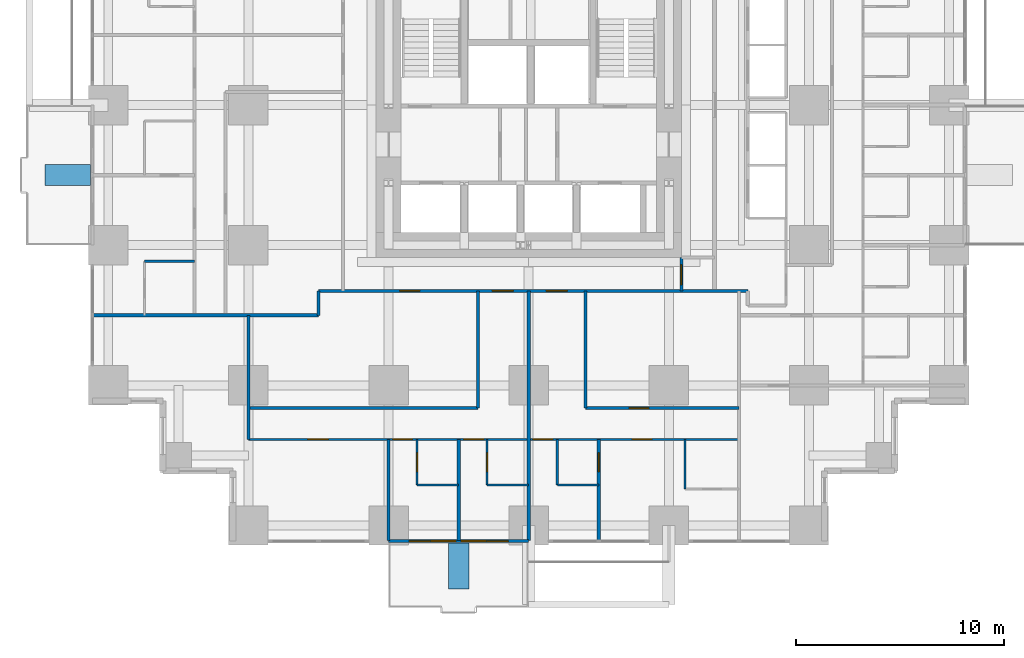
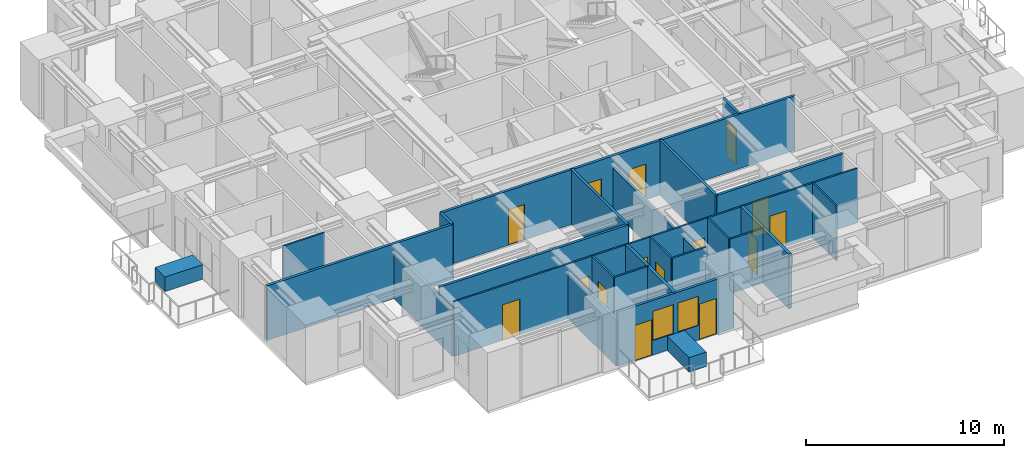
# One storey, part 8 of 15: 25 walls, 15 doors, 2 windows, 17 openings.
"""IFC4 building model written with IfcOpenShell, lengths in metres."""

from ifc_helpers import new_model, si_unit, direction, frame, frame_2d, origin, place, context, subcontext, project, spatial, rectangle, extrude, material, layer, layer_set, type_object, element, fill, save


model = new_model("IFC4")

# Units and contexts
model_context = context("Model", 3, precision=1e-05, world=origin(), true_north=direction((0.0, 1.0)))
body_context = subcontext(model_context, "Body", "Model", "MODEL_VIEW")
ifc_project = project(units=[si_unit("LENGTHUNIT", "METRE"), si_unit("AREAUNIT", "SQUARE_METRE"), si_unit("VOLUMEUNIT", "CUBIC_METRE"), si_unit("PLANEANGLEUNIT", "RADIAN"), si_unit("MASSUNIT", "GRAM", prefix="KILO")], contexts=[model_context])

# Site, building, storey
site_placement = place(None, origin())
site = spatial("IfcSite", under=ifc_project, at=site_placement, CompositionType="ELEMENT")
building_placement = place(site_placement, origin())
building = spatial("IfcBuilding", under=site, at=building_placement, Name="Nyansa Garden Tower", CompositionType="ELEMENT")
storey_placement = place(building_placement, frame((0.0, 0.0, 32.39990234375)))
storey = spatial("IfcBuildingStorey", under=building, at=storey_placement, Name="L08", CompositionType="ELEMENT", Elevation=32.39990234375)

# Wall
ifc_material_1 = material(Name="Dense blockwork, plastered both sides, 55 dB", Category="masonry")
ifc_layer_1 = layer(ifc_material_1, 0.175048828125)
ifc_layer_set_1 = layer_set([ifc_layer_1], Name="Acoustic party wall PW175")
wall_type_1 = type_object("IfcWallType", Name="Acoustic party wall PW175", PredefinedType="PARTITIONING", material=ifc_layer_set_1)
wall_1_placement = place(storey_placement, frame((16.875, -0.73388671875, 0.0), z_axis=(0.0, 0.0, 1.0), x_axis=(0.0, 1.0, 0.0)))
element("IfcWall", 1, at=wall_1_placement, inside=storey, type_object=wall_type_1, Name="Party wall", PredefinedType="PARTITIONING", context=body_context, shape_type="SweptSolid", body=[
    extrude(rectangle(XDim=4.8837890625, YDim=0.175048828125, at=frame_2d((2.44189453125, 0.0))), origin(), (0.0, 0.0, 1.0), 3.375),
])

# Wall, opening, door
wall_2_placement = place(storey_placement, frame((23.625, -0.73388671875, 0.0), z_axis=(0.0, 0.0, 1.0), x_axis=(0.0, 1.0, 0.0)))
wall_2 = element("IfcWall", 2, at=wall_2_placement, inside=storey, type_object=wall_type_1, Name="Party wall", PredefinedType="PARTITIONING", context=body_context, shape_type="SweptSolid", body=[
    extrude(rectangle(XDim=4.8837890625, YDim=0.175048828125, at=frame_2d((2.44189453125, 0.0))), origin(), (0.0, 0.0, 1.0), 3.375),
])
opening_1_placement = place(wall_2_placement, frame((3.333984375, 0.0, 0.0)))
opening_1 = element("IfcOpeningElement", 3, at=opening_1_placement, cuts=wall_2, Name="Opening D02", PredefinedType="OPENING", context=body_context, shape_type="SweptSolid", body=[
    extrude(rectangle(XDim=0.89990234375, YDim=2.199951171875, at=frame_2d((0.449951171875, 1.10009765625))), frame((0.0, 0.097412109375, 0.0), z_axis=(0.0, -1.0, 0.0), x_axis=(1.0, 0.0, 0.0)), (0.0, 0.0, 1.0), 0.195068359375),
])
ifc_material_2 = material(Name="Timber flush door", Category="wood")
door_type_1 = type_object("IfcDoorType", Name="En-suite door D02 900x2200", OperationType="SINGLE_SWING_RIGHT", PredefinedType="DOOR", material=ifc_material_2)
door_1_placement = place(opening_1_placement, origin())
door_1 = element("IfcDoor", 4, at=door_1_placement, inside=storey, type_object=door_type_1, Name="Door L08-027", OperationType="SINGLE_SWING_RIGHT", OverallHeight=2.199951171875, OverallWidth=0.89990234375, PredefinedType="DOOR", context=body_context, shape_type="SweptSolid", body=[
    extrude(rectangle(XDim=0.89990234375, YDim=2.199951171875, at=frame_2d((0.449951171875, 1.10009765625))), frame((0.0, 0.02490234375, 0.0), z_axis=(0.0, -1.0, 0.0), x_axis=(1.0, 0.0, 0.0)), (0.0, 0.0, 1.0), 0.050048828125),
])
fill(opening_1, door_1)

# Wall, openings, doors, windows
ifc_material_3 = material(Name="Black aluminium framed glazed screen", Category="aluminium")
ifc_layer_2 = layer(ifc_material_3, 0.14990234375)
ifc_layer_set_2 = layer_set([ifc_layer_2], Name="Balcony screen wall BW150")
wall_type_2 = type_object("IfcWallType", Name="Balcony screen wall BW150", PredefinedType="SOLIDWALL", material=ifc_layer_set_2)
wall_3_placement = place(storey_placement, frame((20.25, -0.75, 0.0), z_axis=(0.0, 0.0, 1.0), x_axis=(-1.0, 0.0, 0.0)))
wall_3 = element("IfcWall", 5, at=wall_3_placement, inside=storey, type_object=wall_type_2, Name="Glazed screen wall L08 S", PredefinedType="SOLIDWALL", context=body_context, shape_type="SweptSolid", body=[
    extrude(rectangle(XDim=6.75, YDim=0.14990234375, at=frame_2d((3.375, 0.0))), origin(), (0.0, 0.0, 1.0), 3.375),
])
opening_2_placement = place(wall_3_placement, frame((0.995849609375, 0.0, 0.0)))
opening_2 = element("IfcOpeningElement", 6, at=opening_2_placement, cuts=wall_3, Name="Opening D20", PredefinedType="OPENING", context=body_context, shape_type="SweptSolid", body=[
    extrude(rectangle(XDim=1.0, YDim=2.199951171875, at=frame_2d((0.5, 1.10009765625))), frame((0.0, 0.0849609375, 0.0), z_axis=(0.0, -1.0, 0.0), x_axis=(1.0, 0.0, 0.0)), (0.0, 0.0, 1.0), 0.169921875),
])
opening_3_placement = place(wall_3_placement, frame((2.041748046875, 0.0, 0.89990234375)))
opening_3 = element("IfcOpeningElement", 7, at=opening_3_placement, cuts=wall_3, Name="Opening W6", PredefinedType="OPENING", context=body_context, shape_type="SweptSolid", body=[
    extrude(rectangle(XDim=1.199951171875, YDim=1.800048828125, at=frame_2d((0.60009765625, 0.89990234375))), frame((0.0, 0.0849609375, 0.0), z_axis=(0.0, -1.0, 0.0), x_axis=(1.0, 0.0, 0.0)), (0.0, 0.0, 1.0), 0.169921875),
])
opening_4_placement = place(wall_3_placement, frame((4.754150390625, 0.0, 0.0)))
opening_4 = element("IfcOpeningElement", 8, at=opening_4_placement, cuts=wall_3, Name="Opening D20", PredefinedType="OPENING", context=body_context, shape_type="SweptSolid", body=[
    extrude(rectangle(XDim=1.0, YDim=2.199951171875, at=frame_2d((0.5, 1.10009765625))), frame((0.0, 0.0849609375, 0.0), z_axis=(0.0, -1.0, 0.0), x_axis=(1.0, 0.0, 0.0)), (0.0, 0.0, 1.0), 0.169921875),
])
opening_5_placement = place(wall_3_placement, frame((3.50830078125, 0.0, 0.89990234375)))
opening_5 = element("IfcOpeningElement", 9, at=opening_5_placement, cuts=wall_3, Name="Opening W6", PredefinedType="OPENING", context=body_context, shape_type="SweptSolid", body=[
    extrude(rectangle(XDim=1.199951171875, YDim=1.800048828125, at=frame_2d((0.60009765625, 0.89990234375))), frame((0.0, 0.0849609375, 0.0), z_axis=(0.0, -1.0, 0.0), x_axis=(1.0, 0.0, 0.0)), (0.0, 0.0, 1.0), 0.169921875),
])
ifc_material_4 = material(Name="Black aluminium framed glazed door", Category="aluminium")
door_type_2 = type_object("IfcDoorType", Name="Balcony door D20 1000x2200", OperationType="NOTDEFINED", PredefinedType="DOOR", material=ifc_material_4)
door_2_placement = place(opening_2_placement, origin())
door_2 = element("IfcDoor", 10, at=door_2_placement, inside=storey, type_object=door_type_2, Name="Balcony door L08", OperationType="SINGLE_SWING_LEFT", OverallHeight=2.199951171875, OverallWidth=1.0, PredefinedType="DOOR", context=body_context, shape_type="SweptSolid", body=[
    extrude(rectangle(XDim=1.0, YDim=2.199951171875, at=frame_2d((0.5, 1.10009765625))), frame((0.0, 0.02490234375, 0.0), z_axis=(0.0, -1.0, 0.0), x_axis=(1.0, 0.0, 0.0)), (0.0, 0.0, 1.0), 0.050048828125),
])
fill(opening_2, door_2)
door_3_placement = place(opening_4_placement, origin())
door_3 = element("IfcDoor", 11, at=door_3_placement, inside=storey, type_object=door_type_2, Name="Balcony door L08", OperationType="SINGLE_SWING_RIGHT", OverallHeight=2.199951171875, OverallWidth=1.0, PredefinedType="DOOR", context=body_context, shape_type="SweptSolid", body=[
    extrude(rectangle(XDim=1.0, YDim=2.199951171875, at=frame_2d((0.5, 1.10009765625))), frame((0.0, 0.02490234375, 0.0), z_axis=(0.0, -1.0, 0.0), x_axis=(1.0, 0.0, 0.0)), (0.0, 0.0, 1.0), 0.050048828125),
])
fill(opening_4, door_3)
ifc_material_5 = material(Name="Black aluminium frame, dark tinted double glazing", Category="aluminium")
window_type = type_object("IfcWindowType", Name="Balcony window W6 1200x1800", PartitioningType="SINGLE_PANEL", PredefinedType="WINDOW", material=ifc_material_5)
window_1_placement = place(opening_3_placement, origin())
window_1 = element("IfcWindow", 12, at=window_1_placement, inside=storey, type_object=window_type, Name="Window L08", OverallHeight=1.800048828125, OverallWidth=1.199951171875, PartitioningType="SINGLE_PANEL", PredefinedType="WINDOW", context=body_context, shape_type="SweptSolid", body=[
    extrude(rectangle(XDim=1.199951171875, YDim=1.800048828125, at=frame_2d((0.60009765625, 0.89990234375))), frame((0.0, 0.030029296875, 0.0), z_axis=(0.0, -1.0, 0.0), x_axis=(1.0, 0.0, 0.0)), (0.0, 0.0, 1.0), 0.06005859375),
])
fill(opening_3, window_1)
window_2_placement = place(opening_5_placement, origin())
window_2 = element("IfcWindow", 13, at=window_2_placement, inside=storey, type_object=window_type, Name="Window L08", OverallHeight=1.800048828125, OverallWidth=1.199951171875, PartitioningType="SINGLE_PANEL", PredefinedType="WINDOW", context=body_context, shape_type="SweptSolid", body=[
    extrude(rectangle(XDim=1.199951171875, YDim=1.800048828125, at=frame_2d((0.60009765625, 0.89990234375))), frame((0.0, 0.030029296875, 0.0), z_axis=(0.0, -1.0, 0.0), x_axis=(1.0, 0.0, 0.0)), (0.0, 0.0, 1.0), 0.06005859375),
])
fill(opening_5, window_2)

# Walls
ifc_material_6 = material(Name="Blockwork, plastered both sides", Category="masonry")
ifc_layer_3 = layer(ifc_material_6, 0.14990234375)
ifc_layer_set_3 = layer_set([ifc_layer_3], Name="Partition PW150")
wall_type_3 = type_object("IfcWallType", Name="Partition PW150", PredefinedType="PARTITIONING", material=ifc_layer_set_3)
wall_4_placement = place(storey_placement, frame((-0.73388671875, 10.125, 0.0), z_axis=(0.0, 0.0, 1.0), x_axis=(1.0, 0.0, 0.0)))
element("IfcWall", 14, at=wall_4_placement, inside=storey, type_object=wall_type_3, Name="Partition", PredefinedType="PARTITIONING", context=body_context, shape_type="SweptSolid", body=[
    extrude(rectangle(XDim=10.85888671875, YDim=0.14990234375, at=frame_2d((5.429443359375, 0.0))), origin(), (0.0, 0.0, 1.0), 3.375),
])
wall_5_placement = place(storey_placement, frame((6.75, 4.14990234375, 0.0), z_axis=(0.0, 0.0, 1.0), x_axis=(0.0, 1.0, 0.0)))
element("IfcWall", 15, at=wall_5_placement, inside=storey, type_object=wall_type_3, Name="Partition", PredefinedType="PARTITIONING", context=body_context, shape_type="SweptSolid", body=[
    extrude(rectangle(XDim=5.97509765625, YDim=0.14990234375, at=frame_2d((2.987548828125, 0.0))), origin(), (0.0, 0.0, 1.0), 2.877197265625),
])
wall_6_placement = place(storey_placement, frame((6.75, 5.64990234375, 0.0), z_axis=(0.0, 0.0, 1.0), x_axis=(1.0, 0.0, 0.0)))
element("IfcWall", 16, at=wall_6_placement, inside=storey, type_object=wall_type_3, Name="Partition", PredefinedType="PARTITIONING", context=body_context, shape_type="SweptSolid", body=[
    extrude(rectangle(XDim=11.050048828125, YDim=0.14990234375, at=frame_2d((5.52490234375, 0.0))), origin(), (0.0, 0.0, 1.0), 3.375),
])
wall_7_placement = place(storey_placement, frame((10.125, 10.125, 0.0), z_axis=(0.0, 0.0, 1.0), x_axis=(0.0, 1.0, 0.0)))
element("IfcWall", 17, at=wall_7_placement, inside=storey, type_object=wall_type_3, Name="Partition", PredefinedType="PARTITIONING", context=body_context, shape_type="SweptSolid", body=[
    extrude(rectangle(XDim=1.175048828125, YDim=0.14990234375, at=frame_2d((0.58740234375, 0.0))), origin(), (0.0, 0.0, 1.0), 3.375),
])

# Wall, openings, doors
wall_8_placement = place(storey_placement, frame((10.125, 11.300048828125, 0.0), z_axis=(0.0, 0.0, 1.0), x_axis=(1.0, 0.0, 0.0)))
wall_8 = element("IfcWall", 18, at=wall_8_placement, inside=storey, type_object=wall_type_3, Name="Partition", PredefinedType="PARTITIONING", context=body_context, shape_type="SweptSolid", body=[
    extrude(rectangle(XDim=20.675048828125, YDim=0.14990234375, at=frame_2d((10.33740234375, 0.0))), origin(), (0.0, 0.0, 1.0), 3.375),
])
opening_6_placement = place(wall_8_placement, frame((8.375, 0.0, 0.0)))
opening_6 = element("IfcOpeningElement", 19, at=opening_6_placement, cuts=wall_8, Name="Opening D03", PredefinedType="OPENING", context=body_context, shape_type="SweptSolid", body=[
    extrude(rectangle(XDim=1.0, YDim=2.199951171875, at=frame_2d((0.5, 1.10009765625))), frame((0.0, 0.0849609375, 0.0), z_axis=(0.0, -1.0, 0.0), x_axis=(1.0, 0.0, 0.0)), (0.0, 0.0, 1.0), 0.169921875),
])
opening_7_placement = place(wall_8_placement, frame((10.97509765625, 0.0, 0.0)))
opening_7 = element("IfcOpeningElement", 20, at=opening_7_placement, cuts=wall_8, Name="Opening D03", PredefinedType="OPENING", context=body_context, shape_type="SweptSolid", body=[
    extrude(rectangle(XDim=1.0, YDim=2.199951171875, at=frame_2d((0.5, 1.10009765625))), frame((0.0, 0.0849609375, 0.0), z_axis=(0.0, -1.0, 0.0), x_axis=(1.0, 0.0, 0.0)), (0.0, 0.0, 1.0), 0.169921875),
])
opening_8_placement = place(wall_8_placement, frame((3.925048828125, 0.0, 0.0)))
opening_8 = element("IfcOpeningElement", 21, at=opening_8_placement, cuts=wall_8, Name="Opening D01", PredefinedType="OPENING", context=body_context, shape_type="SweptSolid", body=[
    extrude(rectangle(XDim=0.949951171875, YDim=2.199951171875, at=frame_2d((0.47509765625, 1.10009765625))), frame((0.0, 0.0849609375, 0.0), z_axis=(0.0, -1.0, 0.0), x_axis=(1.0, 0.0, 0.0)), (0.0, 0.0, 1.0), 0.169921875),
])
ifc_material_7 = material(Name="Timber flush door, 30 minute fire resisting", Category="wood")
door_type_3 = type_object("IfcDoorType", Name="Bedroom door D01 950x2200", OperationType="SINGLE_SWING_LEFT", PredefinedType="DOOR", material=ifc_material_7)
door_4_placement = place(opening_8_placement, origin())
door_4 = element("IfcDoor", 22, at=door_4_placement, inside=storey, type_object=door_type_3, Name="Door L08-029", OperationType="SINGLE_SWING_LEFT", OverallHeight=2.199951171875, OverallWidth=0.949951171875, PredefinedType="DOOR", context=body_context, shape_type="SweptSolid", body=[
    extrude(rectangle(XDim=0.949951171875, YDim=2.199951171875, at=frame_2d((0.47509765625, 1.10009765625))), frame((0.0, 0.02490234375, 0.0), z_axis=(0.0, -1.0, 0.0), x_axis=(1.0, 0.0, 0.0)), (0.0, 0.0, 1.0), 0.050048828125),
])
fill(opening_8, door_4)
ifc_material_8 = material(Name="Timber flush door, 60 minute fire resisting", Category="wood")
door_type_4 = type_object("IfcDoorType", Name="Cluster entrance door D03 1000x2200", OperationType="SINGLE_SWING_LEFT", PredefinedType="DOOR", material=ifc_material_8)
door_5_placement = place(opening_6_placement, origin())
door_5 = element("IfcDoor", 23, at=door_5_placement, inside=storey, type_object=door_type_4, Name="Door L08-023", OperationType="SINGLE_SWING_LEFT", OverallHeight=2.199951171875, OverallWidth=1.0, PredefinedType="DOOR", context=body_context, shape_type="SweptSolid", body=[
    extrude(rectangle(XDim=1.0, YDim=2.199951171875, at=frame_2d((0.5, 1.10009765625))), frame((0.0, 0.02490234375, 0.0), z_axis=(0.0, -1.0, 0.0), x_axis=(1.0, 0.0, 0.0)), (0.0, 0.0, 1.0), 0.050048828125),
])
fill(opening_6, door_5)
door_6_placement = place(opening_7_placement, origin())
door_6 = element("IfcDoor", 24, at=door_6_placement, inside=storey, type_object=door_type_4, Name="Door L08-028", OperationType="SINGLE_SWING_LEFT", OverallHeight=2.199951171875, OverallWidth=1.0, PredefinedType="DOOR", context=body_context, shape_type="SweptSolid", body=[
    extrude(rectangle(XDim=1.0, YDim=2.199951171875, at=frame_2d((0.5, 1.10009765625))), frame((0.0, 0.02490234375, 0.0), z_axis=(0.0, -1.0, 0.0), x_axis=(1.0, 0.0, 0.0)), (0.0, 0.0, 1.0), 0.050048828125),
])
fill(opening_7, door_6)

# Walls
wall_9_placement = place(storey_placement, frame((13.5, -0.73388671875, 0.0), z_axis=(0.0, 0.0, 1.0), x_axis=(0.0, 1.0, 0.0)))
element("IfcWall", 25, at=wall_9_placement, inside=storey, type_object=wall_type_3, Name="Partition", PredefinedType="PARTITIONING", context=body_context, shape_type="SweptSolid", body=[
    extrude(rectangle(XDim=4.8837890625, YDim=0.14990234375, at=frame_2d((2.44189453125, 0.0))), origin(), (0.0, 0.0, 1.0), 2.877197265625),
])
wall_10_placement = place(storey_placement, frame((17.800048828125, 5.64990234375, 0.0), z_axis=(0.0, 0.0, 1.0), x_axis=(0.0, 1.0, 0.0)))
element("IfcWall", 26, at=wall_10_placement, inside=storey, type_object=wall_type_3, Name="Partition", PredefinedType="PARTITIONING", context=body_context, shape_type="SweptSolid", body=[
    extrude(rectangle(XDim=5.650146484375, YDim=0.14990234375, at=frame_2d((2.8251953125, 0.0))), origin(), (0.0, 0.0, 1.0), 3.375),
])
wall_11_placement = place(storey_placement, frame((20.25, -0.73388671875, 0.0), z_axis=(0.0, 0.0, 1.0), x_axis=(0.0, 1.0, 0.0)))
element("IfcWall", 27, at=wall_11_placement, inside=storey, type_object=wall_type_3, Name="Partition", PredefinedType="PARTITIONING", context=body_context, shape_type="SweptSolid", body=[
    extrude(rectangle(XDim=12.033935546875, YDim=0.14990234375, at=frame_2d((6.01708984375, 0.0))), origin(), (0.0, 0.0, 1.0), 2.610107421875),
])

# Wall, opening, door
wall_12_placement = place(storey_placement, frame((22.987548828125, 5.64990234375, 0.0), z_axis=(0.0, 0.0, 1.0), x_axis=(1.0, 0.0, 0.0)))
wall_12 = element("IfcWall", 28, at=wall_12_placement, inside=storey, type_object=wall_type_3, Name="Partition", PredefinedType="PARTITIONING", context=body_context, shape_type="SweptSolid", body=[
    extrude(rectangle(XDim=7.387451171875, YDim=0.14990234375, at=frame_2d((3.69384765625, 0.0))), origin(), (0.0, 0.0, 1.0), 3.375),
])
opening_9_placement = place(wall_12_placement, frame((2.10009765625, 0.0, 0.0)))
opening_9 = element("IfcOpeningElement", 29, at=opening_9_placement, cuts=wall_12, Name="Opening D01", PredefinedType="OPENING", context=body_context, shape_type="SweptSolid", body=[
    extrude(rectangle(XDim=0.949951171875, YDim=2.199951171875, at=frame_2d((0.47509765625, 1.10009765625))), frame((0.0, 0.0849609375, 0.0), z_axis=(0.0, -1.0, 0.0), x_axis=(1.0, 0.0, 0.0)), (0.0, 0.0, 1.0), 0.169921875),
])
door_7_placement = place(opening_9_placement, origin())
door_7 = element("IfcDoor", 30, at=door_7_placement, inside=storey, type_object=door_type_3, Name="Door L08-030", OperationType="SINGLE_SWING_LEFT", OverallHeight=2.199951171875, OverallWidth=0.949951171875, PredefinedType="DOOR", context=body_context, shape_type="SweptSolid", body=[
    extrude(rectangle(XDim=0.949951171875, YDim=2.199951171875, at=frame_2d((0.47509765625, 1.10009765625))), frame((0.0, 0.02490234375, 0.0), z_axis=(0.0, -1.0, 0.0), x_axis=(1.0, 0.0, 0.0)), (0.0, 0.0, 1.0), 0.050048828125),
])
fill(opening_9, door_7)

# Wall
wall_13_placement = place(storey_placement, frame((22.988037109375, 5.64990234375, 0.0), z_axis=(0.0, 0.0, 1.0), x_axis=(0.0, 1.0, 0.0)))
element("IfcWall", 31, at=wall_13_placement, inside=storey, type_object=wall_type_3, Name="Partition", PredefinedType="PARTITIONING", context=body_context, shape_type="SweptSolid", body=[
    extrude(rectangle(XDim=5.650146484375, YDim=0.14990234375, at=frame_2d((2.8251953125, 0.0))), origin(), (0.0, 0.0, 1.0), 3.375),
])

# Wall, opening, door
wall_14_placement = place(storey_placement, frame((27.60009765625, 11.300048828125, 0.0), z_axis=(0.0, 0.0, 1.0), x_axis=(0.0, 1.0, 0.0)))
wall_14 = element("IfcWall", 32, at=wall_14_placement, inside=storey, type_object=wall_type_3, Name="Partition", PredefinedType="PARTITIONING", context=body_context, shape_type="SweptSolid", body=[
    extrude(rectangle(XDim=1.599853515625, YDim=0.14990234375, at=frame_2d((0.7998046875, 0.0))), origin(), (0.0, 0.0, 1.0), 3.375),
])
opening_10_placement = place(wall_14_placement, frame((0.300048828125, 0.0, 0.0)))
opening_10 = element("IfcOpeningElement", 33, at=opening_10_placement, cuts=wall_14, Name="Opening D01", PredefinedType="OPENING", context=body_context, shape_type="SweptSolid", body=[
    extrude(rectangle(XDim=0.949951171875, YDim=2.199951171875, at=frame_2d((0.47509765625, 1.10009765625))), frame((0.0, 0.0849609375, 0.0), z_axis=(0.0, -1.0, 0.0), x_axis=(1.0, 0.0, 0.0)), (0.0, 0.0, 1.0), 0.169921875),
])
door_8_placement = place(opening_10_placement, origin())
door_8 = element("IfcDoor", 34, at=door_8_placement, inside=storey, type_object=door_type_3, Name="Door L08-017", OperationType="SINGLE_SWING_LEFT", OverallHeight=2.199951171875, OverallWidth=0.949951171875, PredefinedType="DOOR", context=body_context, shape_type="SweptSolid", body=[
    extrude(rectangle(XDim=0.949951171875, YDim=2.199951171875, at=frame_2d((0.47509765625, 1.10009765625))), frame((0.0, 0.02490234375, 0.0), z_axis=(0.0, -1.0, 0.0), x_axis=(1.0, 0.0, 0.0)), (0.0, 0.0, 1.0), 0.050048828125),
])
fill(opening_10, door_8)

# Walls
ifc_material_9 = material(Name="Concrete C40/50 planter, waterproofed", Category="concrete")
ifc_layer_4 = layer(ifc_material_9, 1.0)
ifc_layer_set_4 = layer_set([ifc_layer_4], Name="Tree planter TP1")
wall_type_4 = type_object("IfcWallType", Name="Tree planter TP1", PredefinedType="USERDEFINED", material=ifc_layer_set_4)
for number, where, z_axis, x_axis, name in (
    (35, (16.875, -0.85009765625, 0.0), (0.0, 0.0, 1.0), (0.0, -1.0, 0.0), "Tree planter L08"),
    (36, (-0.85009765625, 16.875, 0.0), (0.0, 0.0, 1.0), (-1.0, 0.0, 0.0), "Tree planter L08"),
):
    element("IfcWall", number, at=place(storey_placement, frame(where, z_axis=z_axis, x_axis=x_axis)), inside=storey, type_object=wall_type_4, Name=name, ObjectType="TREE PLANTER", PredefinedType="USERDEFINED", context=body_context, shape_type="SweptSolid", body=[
        extrude(rectangle(XDim=2.199951171875, YDim=1.0, at=frame_2d((1.10009765625, 0.0))), origin(), (0.0, 0.0, 1.0), 0.900146484375),
    ])
ifc_material_10 = material(Name="Moisture resistant board on steel studs, tiled", Category="steel")
ifc_layer_5 = layer(ifc_material_10, 0.10009765625)
ifc_layer_set_5 = layer_set([ifc_layer_5], Name="Wet wall PW100")
wall_type_5 = type_object("IfcWallType", Name="Wet wall PW100", PredefinedType="PARTITIONING", material=ifc_layer_set_5)
wall_15_placement = place(storey_placement, frame((1.75, 12.72509765625, 0.0), z_axis=(0.0, 0.0, 1.0), x_axis=(1.0, 0.0, 0.0)))
element("IfcWall", 37, at=wall_15_placement, inside=storey, type_object=wall_type_5, Name="Wet wall", PredefinedType="PARTITIONING", context=body_context, shape_type="SweptSolid", body=[
    extrude(rectangle(XDim=2.39990234375, YDim=0.10009765625, at=frame_2d((1.199951171875, 0.0))), origin(), (0.0, 0.0, 1.0), 3.375),
])

# Wall, openings, doors
wall_16_placement = place(storey_placement, frame((6.75, 4.14990234375, 0.0), z_axis=(0.0, 0.0, 1.0), x_axis=(1.0, 0.0, 0.0)))
wall_16 = element("IfcWall", 38, at=wall_16_placement, inside=storey, type_object=wall_type_5, Name="Wet wall", PredefinedType="PARTITIONING", context=body_context, shape_type="SweptSolid", body=[
    extrude(rectangle(XDim=23.625, YDim=0.10009765625, at=frame_2d((11.8125, 0.0))), origin(), (0.0, 0.0, 1.0), 3.375),
])
opening_11_placement = place(wall_16_placement, frame((2.85009765625, 0.0, 0.0)))
opening_11 = element("IfcOpeningElement", 39, at=opening_11_placement, cuts=wall_16, Name="Opening D03", PredefinedType="OPENING", context=body_context, shape_type="SweptSolid", body=[
    extrude(rectangle(XDim=1.0, YDim=2.199951171875, at=frame_2d((0.5, 1.10009765625))), frame((0.0, 0.06005859375, 0.0), z_axis=(0.0, -1.0, 0.0), x_axis=(1.0, 0.0, 0.0)), (0.0, 0.0, 1.0), 0.1201171875),
])
opening_12_placement = place(wall_16_placement, frame((6.949951171875, 0.0, 0.0)))
opening_12 = element("IfcOpeningElement", 40, at=opening_12_placement, cuts=wall_16, Name="Opening D01", PredefinedType="OPENING", context=body_context, shape_type="SweptSolid", body=[
    extrude(rectangle(XDim=0.949951171875, YDim=2.199951171875, at=frame_2d((0.47509765625, 1.10009765625))), frame((0.0, 0.06005859375, 0.0), z_axis=(0.0, -1.0, 0.0), x_axis=(1.0, 0.0, 0.0)), (0.0, 0.0, 1.0), 0.1201171875),
])
opening_13_placement = place(wall_16_placement, frame((10.375, 0.0, 0.0)))
opening_13 = element("IfcOpeningElement", 41, at=opening_13_placement, cuts=wall_16, Name="Opening D01", PredefinedType="OPENING", context=body_context, shape_type="SweptSolid", body=[
    extrude(rectangle(XDim=0.949951171875, YDim=2.199951171875, at=frame_2d((0.47509765625, 1.10009765625))), frame((0.0, 0.06005859375, 0.0), z_axis=(0.0, -1.0, 0.0), x_axis=(1.0, 0.0, 0.0)), (0.0, 0.0, 1.0), 0.1201171875),
])
opening_14_placement = place(wall_16_placement, frame((18.47509765625, 0.0, 0.0)))
opening_14 = element("IfcOpeningElement", 42, at=opening_14_placement, cuts=wall_16, Name="Opening D14", PredefinedType="OPENING", context=body_context, shape_type="SweptSolid", body=[
    extrude(rectangle(XDim=0.949951171875, YDim=2.199951171875, at=frame_2d((0.47509765625, 1.10009765625))), frame((0.0, 0.06005859375, 0.0), z_axis=(0.0, -1.0, 0.0), x_axis=(1.0, 0.0, 0.0)), (0.0, 0.0, 1.0), 0.1201171875),
])
opening_15_placement = place(wall_16_placement, frame((13.699951171875, 0.0, 0.0)))
opening_15 = element("IfcOpeningElement", 43, at=opening_15_placement, cuts=wall_16, Name="Opening D14", PredefinedType="OPENING", context=body_context, shape_type="SweptSolid", body=[
    extrude(rectangle(XDim=0.949951171875, YDim=2.199951171875, at=frame_2d((0.47509765625, 1.10009765625))), frame((0.0, 0.06005859375, 0.0), z_axis=(0.0, -1.0, 0.0), x_axis=(1.0, 0.0, 0.0)), (0.0, 0.0, 1.0), 0.1201171875),
])
door_9_placement = place(opening_12_placement, origin())
door_9 = element("IfcDoor", 44, at=door_9_placement, inside=storey, type_object=door_type_3, Name="Door L08-019", OperationType="SINGLE_SWING_LEFT", OverallHeight=2.199951171875, OverallWidth=0.949951171875, PredefinedType="DOOR", context=body_context, shape_type="SweptSolid", body=[
    extrude(rectangle(XDim=0.949951171875, YDim=2.199951171875, at=frame_2d((0.47509765625, 1.10009765625))), frame((0.0, 0.02490234375, 0.0), z_axis=(0.0, -1.0, 0.0), x_axis=(1.0, 0.0, 0.0)), (0.0, 0.0, 1.0), 0.050048828125),
])
fill(opening_12, door_9)
door_10_placement = place(opening_13_placement, origin())
door_10 = element("IfcDoor", 45, at=door_10_placement, inside=storey, type_object=door_type_3, Name="Door L08-021", OperationType="SINGLE_SWING_LEFT", OverallHeight=2.199951171875, OverallWidth=0.949951171875, PredefinedType="DOOR", context=body_context, shape_type="SweptSolid", body=[
    extrude(rectangle(XDim=0.949951171875, YDim=2.199951171875, at=frame_2d((0.47509765625, 1.10009765625))), frame((0.0, 0.02490234375, 0.0), z_axis=(0.0, -1.0, 0.0), x_axis=(1.0, 0.0, 0.0)), (0.0, 0.0, 1.0), 0.050048828125),
])
fill(opening_13, door_10)
door_11_placement = place(opening_11_placement, origin())
door_11 = element("IfcDoor", 46, at=door_11_placement, inside=storey, type_object=door_type_4, Name="Door L08-018", OperationType="SINGLE_SWING_LEFT", OverallHeight=2.199951171875, OverallWidth=1.0, PredefinedType="DOOR", context=body_context, shape_type="SweptSolid", body=[
    extrude(rectangle(XDim=1.0, YDim=2.199951171875, at=frame_2d((0.5, 1.10009765625))), frame((0.0, 0.02490234375, 0.0), z_axis=(0.0, -1.0, 0.0), x_axis=(1.0, 0.0, 0.0)), (0.0, 0.0, 1.0), 0.050048828125),
])
fill(opening_11, door_11)
ifc_material_11 = material(Name="Timber flush door, 60 minute fire resisting, self-closing", Category="wood")
door_type_5 = type_object("IfcDoorType", Name="Studio entrance door D14 950x2200", OperationType="SINGLE_SWING_LEFT", PredefinedType="DOOR", material=ifc_material_11)
door_12_placement = place(opening_14_placement, origin())
door_12 = element("IfcDoor", 47, at=door_12_placement, inside=storey, type_object=door_type_5, Name="Door L08-024", OperationType="SINGLE_SWING_LEFT", OverallHeight=2.199951171875, OverallWidth=0.949951171875, PredefinedType="DOOR", context=body_context, shape_type="SweptSolid", body=[
    extrude(rectangle(XDim=0.949951171875, YDim=2.199951171875, at=frame_2d((0.47509765625, 1.10009765625))), frame((0.0, 0.02490234375, 0.0), z_axis=(0.0, -1.0, 0.0), x_axis=(1.0, 0.0, 0.0)), (0.0, 0.0, 1.0), 0.050048828125),
])
fill(opening_14, door_12)
door_13_placement = place(opening_15_placement, origin())
door_13 = element("IfcDoor", 48, at=door_13_placement, inside=storey, type_object=door_type_5, Name="Door L08-026", OperationType="SINGLE_SWING_LEFT", OverallHeight=2.199951171875, OverallWidth=0.949951171875, PredefinedType="DOOR", context=body_context, shape_type="SweptSolid", body=[
    extrude(rectangle(XDim=0.949951171875, YDim=2.199951171875, at=frame_2d((0.47509765625, 1.10009765625))), frame((0.0, 0.02490234375, 0.0), z_axis=(0.0, -1.0, 0.0), x_axis=(1.0, 0.0, 0.0)), (0.0, 0.0, 1.0), 0.050048828125),
])
fill(opening_15, door_13)

# Wall, opening, door
wall_17_placement = place(storey_placement, frame((14.875, 1.949951171875, 0.0), z_axis=(0.0, 0.0, 1.0), x_axis=(0.0, 1.0, 0.0)))
wall_17 = element("IfcWall", 49, at=wall_17_placement, inside=storey, type_object=wall_type_5, Name="Wet wall", PredefinedType="PARTITIONING", context=body_context, shape_type="SweptSolid", body=[
    extrude(rectangle(XDim=2.199951171875, YDim=0.10009765625, at=frame_2d((1.10009765625, 0.0))), origin(), (0.0, 0.0, 1.0), 3.375),
])
opening_16_placement = place(wall_17_placement, frame((0.64990234375, 0.0, 0.0)))
opening_16 = element("IfcOpeningElement", 50, at=opening_16_placement, cuts=wall_17, Name="Opening D02", PredefinedType="OPENING", context=body_context, shape_type="SweptSolid", body=[
    extrude(rectangle(XDim=0.89990234375, YDim=2.199951171875, at=frame_2d((0.449951171875, 1.10009765625))), frame((0.0, 0.06005859375, 0.0), z_axis=(0.0, -1.0, 0.0), x_axis=(1.0, 0.0, 0.0)), (0.0, 0.0, 1.0), 0.1201171875),
])
door_14_placement = place(opening_16_placement, origin())
door_14 = element("IfcDoor", 51, at=door_14_placement, inside=storey, type_object=door_type_1, Name="Door L08-020", OperationType="SINGLE_SWING_RIGHT", OverallHeight=2.199951171875, OverallWidth=0.89990234375, PredefinedType="DOOR", context=body_context, shape_type="SweptSolid", body=[
    extrude(rectangle(XDim=0.89990234375, YDim=2.199951171875, at=frame_2d((0.449951171875, 1.10009765625))), frame((0.0, 0.02490234375, 0.0), z_axis=(0.0, -1.0, 0.0), x_axis=(1.0, 0.0, 0.0)), (0.0, 0.0, 1.0), 0.050048828125),
])
fill(opening_16, door_14)

# Wall
wall_18_placement = place(storey_placement, frame((14.875, 1.949951171875, 0.0), z_axis=(0.0, 0.0, 1.0), x_axis=(1.0, 0.0, 0.0)))
element("IfcWall", 52, at=wall_18_placement, inside=storey, type_object=wall_type_5, Name="Wet wall", PredefinedType="PARTITIONING", context=body_context, shape_type="SweptSolid", body=[
    extrude(rectangle(XDim=2.0, YDim=0.10009765625, at=frame_2d((1.0, 0.0))), origin(), (0.0, 0.0, 1.0), 3.375),
])

# Wall, opening, door
wall_19_placement = place(storey_placement, frame((18.25, 1.949951171875, 0.0), z_axis=(0.0, 0.0, 1.0), x_axis=(0.0, 1.0, 0.0)))
wall_19 = element("IfcWall", 53, at=wall_19_placement, inside=storey, type_object=wall_type_5, Name="Wet wall", PredefinedType="PARTITIONING", context=body_context, shape_type="SweptSolid", body=[
    extrude(rectangle(XDim=2.199951171875, YDim=0.10009765625, at=frame_2d((1.10009765625, 0.0))), origin(), (0.0, 0.0, 1.0), 3.375),
])
opening_17_placement = place(wall_19_placement, frame((0.64990234375, 0.0, 0.0)))
opening_17 = element("IfcOpeningElement", 54, at=opening_17_placement, cuts=wall_19, Name="Opening D02", PredefinedType="OPENING", context=body_context, shape_type="SweptSolid", body=[
    extrude(rectangle(XDim=0.89990234375, YDim=2.199951171875, at=frame_2d((0.449951171875, 1.10009765625))), frame((0.0, 0.06005859375, 0.0), z_axis=(0.0, -1.0, 0.0), x_axis=(1.0, 0.0, 0.0)), (0.0, 0.0, 1.0), 0.1201171875),
])
door_15_placement = place(opening_17_placement, origin())
door_15 = element("IfcDoor", 55, at=door_15_placement, inside=storey, type_object=door_type_1, Name="Door L08-022", OperationType="SINGLE_SWING_RIGHT", OverallHeight=2.199951171875, OverallWidth=0.89990234375, PredefinedType="DOOR", context=body_context, shape_type="SweptSolid", body=[
    extrude(rectangle(XDim=0.89990234375, YDim=2.199951171875, at=frame_2d((0.449951171875, 1.10009765625))), frame((0.0, 0.02490234375, 0.0), z_axis=(0.0, -1.0, 0.0), x_axis=(1.0, 0.0, 0.0)), (0.0, 0.0, 1.0), 0.050048828125),
])
fill(opening_17, door_15)

# Walls
wall_20_placement = place(storey_placement, frame((18.25, 1.949951171875, 0.0), z_axis=(0.0, 0.0, 1.0), x_axis=(1.0, 0.0, 0.0)))
element("IfcWall", 56, at=wall_20_placement, inside=storey, type_object=wall_type_5, Name="Wet wall", PredefinedType="PARTITIONING", context=body_context, shape_type="SweptSolid", body=[
    extrude(rectangle(XDim=2.0, YDim=0.10009765625, at=frame_2d((1.0, 0.0))), origin(), (0.0, 0.0, 1.0), 3.375),
])
wall_21_placement = place(storey_placement, frame((21.625, 1.949951171875, 0.0), z_axis=(0.0, 0.0, 1.0), x_axis=(0.0, 1.0, 0.0)))
element("IfcWall", 57, at=wall_21_placement, inside=storey, type_object=wall_type_5, Name="Wet wall", PredefinedType="PARTITIONING", context=body_context, shape_type="SweptSolid", body=[
    extrude(rectangle(XDim=2.199951171875, YDim=0.10009765625, at=frame_2d((1.10009765625, 0.0))), origin(), (0.0, 0.0, 1.0), 3.375),
])
wall_22_placement = place(storey_placement, frame((21.625, 1.949951171875, 0.0), z_axis=(0.0, 0.0, 1.0), x_axis=(1.0, 0.0, 0.0)))
element("IfcWall", 58, at=wall_22_placement, inside=storey, type_object=wall_type_5, Name="Wet wall", PredefinedType="PARTITIONING", context=body_context, shape_type="SweptSolid", body=[
    extrude(rectangle(XDim=2.0, YDim=0.10009765625, at=frame_2d((1.0, 0.0))), origin(), (0.0, 0.0, 1.0), 3.375),
])
wall_23_placement = place(storey_placement, frame((27.77490234375, 1.75, 0.0), z_axis=(0.0, 0.0, 1.0), x_axis=(0.0, 1.0, 0.0)))
element("IfcWall", 59, at=wall_23_placement, inside=storey, type_object=wall_type_5, Name="Wet wall", PredefinedType="PARTITIONING", context=body_context, shape_type="SweptSolid", body=[
    extrude(rectangle(XDim=2.39990234375, YDim=0.10009765625, at=frame_2d((1.199951171875, 0.0))), origin(), (0.0, 0.0, 1.0), 3.375),
])

save(model, "model.ifc")
